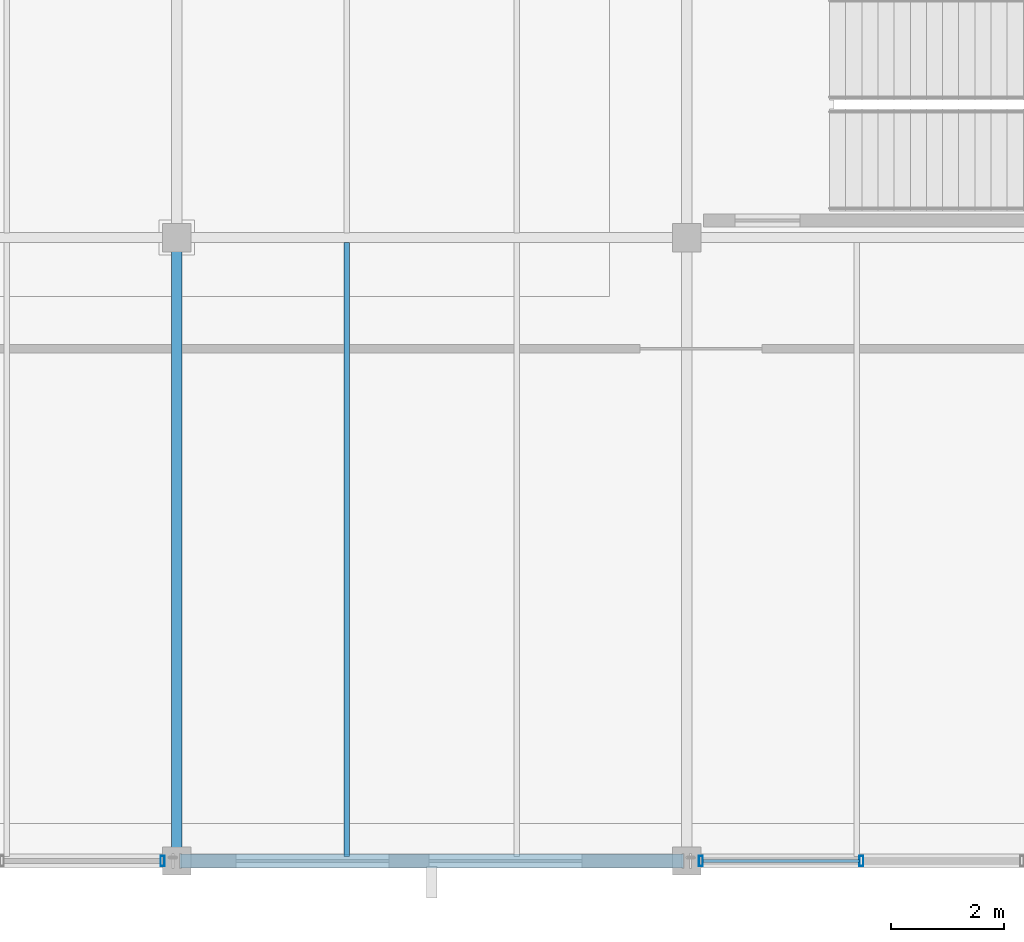
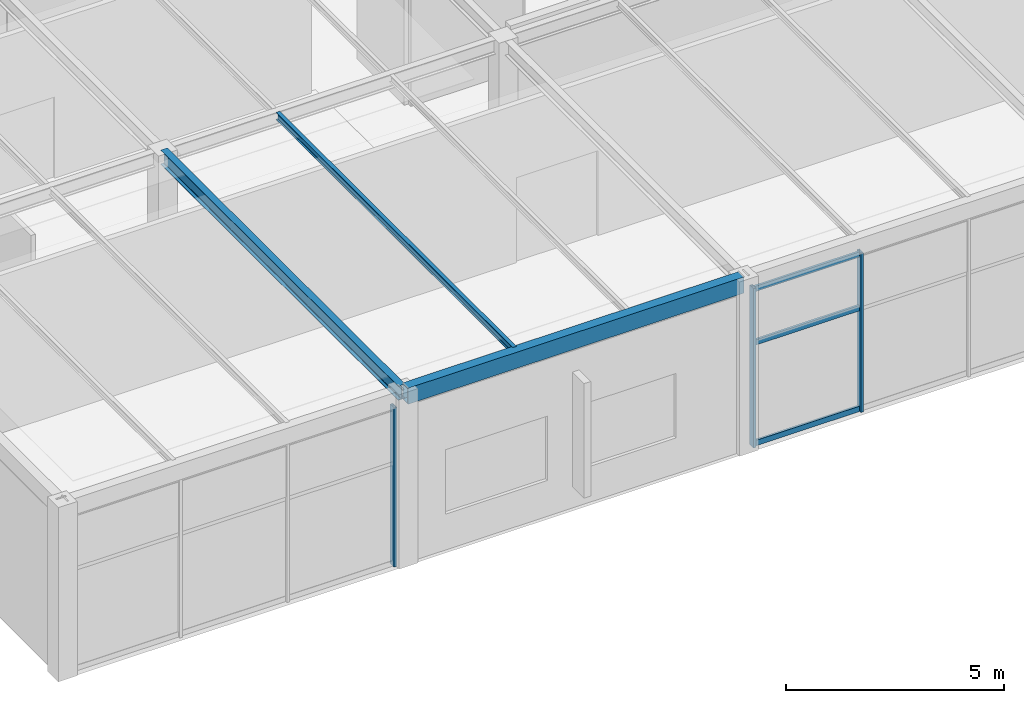
# One storey, part 62 of 195: 6 members, 3 beams, 2 elements without a shape of their own.
"""IFC4 building model written with IfcOpenShell, lengths in metres."""

from ifc_helpers import new_model, si_unit, direction, frame, origin, origin_2d, place, context, subcontext, project, spatial, hollow_rectangle, i_section, extrude, material, layer, layer_set, material_profile, profile_set, type_object, element, aggregate, save


model = new_model("IFC4")

# Units and contexts
model_context = context("Model", 3, precision=1e-05, world=origin(), true_north=direction((0.0, 1.0)))
body_context = subcontext(model_context, "Body", "Model", "MODEL_VIEW")
ifc_project = project(units=[si_unit("LENGTHUNIT", "METRE"), si_unit("AREAUNIT", "SQUARE_METRE"), si_unit("VOLUMEUNIT", "CUBIC_METRE"), si_unit("PLANEANGLEUNIT", "RADIAN"), si_unit("MASSUNIT", "GRAM", prefix="KILO")], contexts=[model_context])

# Site, building, storey
site_placement = place(None, origin())
site = spatial("IfcSite", under=ifc_project, at=site_placement, CompositionType="ELEMENT")
building_placement = place(site_placement, origin())
building = spatial("IfcBuilding", under=site, at=building_placement, Name="Marlcrest Central Station", CompositionType="ELEMENT")
storey_placement = place(building_placement, frame((0.0, 0.0, 9.800048828125)))
storey = spatial("IfcBuildingStorey", under=building, at=storey_placement, Name="L02", CompositionType="ELEMENT", Elevation=9.800048828125)

# Beams
ifc_material_1 = material(Name="Steel S355", Category="steel")
ifc_material_profile_1 = material_profile(ifc_material_1, i_section(OverallWidth=0.179931640625, OverallDepth=0.39990234375, WebThickness=0.008544921875, FlangeThickness=0.013427734375, FilletRadius=0.02099609375, at=origin_2d()), Name="IPE 400")
ifc_profile_set_1 = profile_set([ifc_material_profile_1], Name="Steel S355")
beam_type_1 = type_object("IfcBeamType", Name="BM-03", PredefinedType="BEAM", material=ifc_profile_set_1)
beam_1_placement = place(storey_placement, frame((162.0, 0.06005859375, 4.669921875), z_axis=(0.0, 1.0, 0.0), x_axis=(-1.0, 0.0, 0.0)))
element("IfcBeam", 1, at=beam_1_placement, inside=storey, type_object=beam_type_1, Name="bm-BM-03-L02-00982", PredefinedType="BEAM", context=body_context, shape_type="SweptSolid", body=[
    extrude(i_section(OverallWidth=0.179931640625, OverallDepth=0.39990234375, WebThickness=0.008544921875, FlangeThickness=0.013427734375, FilletRadius=0.02099609375, at=origin_2d()), origin(), (0.0, 0.0, 1.0), 10.8798828125),
])
ifc_material_profile_2 = material_profile(ifc_material_1, i_section(OverallWidth=0.10009765625, OverallDepth=0.199951171875, WebThickness=0.005615234375, FlangeThickness=0.008544921875, FilletRadius=0.011962890625, at=origin_2d()), Name="IPE 200")
ifc_profile_set_2 = profile_set([ifc_material_profile_2], Name="Steel S355")
beam_type_2 = type_object("IfcBeamType", Name="JS-01", PredefinedType="JOIST", material=ifc_profile_set_2)
beam_2_placement = place(storey_placement, frame((165.0, 0.0830078125, 4.77001953125), z_axis=(0.0, 1.0, 0.0), x_axis=(-1.0, 0.0, 0.0)))
element("IfcBeam", 2, at=beam_2_placement, inside=storey, type_object=beam_type_2, Name="bm-JS-01-L02-01006", PredefinedType="JOIST", context=body_context, shape_type="SweptSolid", body=[
    extrude(i_section(OverallWidth=0.10009765625, OverallDepth=0.199951171875, WebThickness=0.005615234375, FlangeThickness=0.008544921875, FilletRadius=0.011962890625, at=origin_2d()), origin(), (0.0, 0.0, 1.0), 10.833984375),
])

# Curtain wall, member
ifc_material_2 = material(Name="Anodised aluminium and hurricane laminated glass", Category="aluminium")
ifc_layer = layer(ifc_material_2, 0.179931640625, Name="CW-S1")
ifc_layer_set = layer_set([ifc_layer], Name="Anodised aluminium and hurricane laminated glass")
curtain_wall_type = type_object("IfcCurtainWallType", Name="CW-S1", PredefinedType="USERDEFINED", material=ifc_layer_set)
curtain_wall_1_placement = place(storey_placement, origin())
curtain_wall_1 = element("IfcCurtainWall", 3, at=curtain_wall_1_placement, inside=storey, type_object=curtain_wall_type, Name="cw-L02-0153", ObjectType="STICK_CURTAIN_WALL", PredefinedType="USERDEFINED")
ifc_material_3 = material(Name="Anodised aluminium 6063-T6", Category="aluminium")
ifc_material_profile_3 = material_profile(ifc_material_3, hollow_rectangle(XDim=0.070068359375, YDim=0.179931640625, WallThickness=0.0048828125, at=origin_2d()), Name="AA-RHS 180x70x5")
ifc_profile_set_3 = profile_set([ifc_material_profile_3], Name="Anodised aluminium 6063-T6")
member_type_1 = type_object("IfcMemberType", Name="ML-02", PredefinedType="MULLION", material=ifc_profile_set_3)
member_1_placement = place(storey_placement, frame((161.75, 0.0, -0.030029296875), z_axis=(0.0, 0.0, 1.0), x_axis=(1.0, 0.0, 0.0)))
member_1 = element("IfcMember", 4, at=member_1_placement, type_object=member_type_1, Name="cw-L02-0153-ml-0", PredefinedType="MULLION", context=body_context, shape_type="SweptSolid", body=[
    extrude(hollow_rectangle(XDim=0.070068359375, YDim=0.179931640625, WallThickness=0.0048828125, at=origin_2d()), origin(), (0.0, 0.0, 1.0), 4.449951171875),
])
aggregate(curtain_wall_1, [member_1])

# Curtain wall, members
curtain_wall_2_placement = place(storey_placement, origin())
curtain_wall_2 = element("IfcCurtainWall", 5, at=curtain_wall_2_placement, inside=storey, type_object=curtain_wall_type, Name="cw-L02-0154", ObjectType="STICK_CURTAIN_WALL", PredefinedType="USERDEFINED")
member_2_placement = place(storey_placement, frame((174.083251953125, 0.0, -0.030029296875), z_axis=(0.0, 0.0, 1.0), x_axis=(1.0, 0.0, 0.0)))
member_2 = element("IfcMember", 6, at=member_2_placement, type_object=member_type_1, Name="cw-L02-0154-ml-2", PredefinedType="MULLION", context=body_context, shape_type="SweptSolid", body=[
    extrude(hollow_rectangle(XDim=0.070068359375, YDim=0.179931640625, WallThickness=0.0048828125, at=origin_2d()), origin(), (0.0, 0.0, 1.0), 4.449951171875),
])
member_3_placement = place(storey_placement, frame((171.25, 0.0, -0.030029296875), z_axis=(0.0, 0.0, 1.0), x_axis=(1.0, 0.0, 0.0)))
member_3 = element("IfcMember", 7, at=member_3_placement, type_object=member_type_1, Name="cw-L02-0154-ml-3", PredefinedType="MULLION", context=body_context, shape_type="SweptSolid", body=[
    extrude(hollow_rectangle(XDim=0.070068359375, YDim=0.179931640625, WallThickness=0.0048828125, at=origin_2d()), origin(), (0.0, 0.0, 1.0), 4.449951171875),
])

# Beam
ifc_material_profile_4 = material_profile(ifc_material_1, hollow_rectangle(XDim=0.25, YDim=0.449951171875, WallThickness=0.01611328125, at=origin_2d()), Name="RHS 450x250x16")
ifc_profile_set_4 = profile_set([ifc_material_profile_4], Name="Steel S355")
beam_type_3 = type_object("IfcBeamType", Name="SP-02", PredefinedType="SPANDREL", material=ifc_profile_set_4)
beam_3_placement = place(storey_placement, frame((162.06005859375, 0.0, 4.64501953125), z_axis=(1.0, 0.0, 0.0), x_axis=(0.0, 1.0, 0.0)))
element("IfcBeam", 8, at=beam_3_placement, inside=storey, type_object=beam_type_3, Name="bm-SP-02-L02-00956", PredefinedType="SPANDREL", context=body_context, shape_type="SweptSolid", body=[
    extrude(hollow_rectangle(XDim=0.25, YDim=0.449951171875, WallThickness=0.01611328125, at=origin_2d()), origin(), (0.0, 0.0, 1.0), 8.8798828125),
])

# Member
ifc_material_profile_5 = material_profile(ifc_material_3, hollow_rectangle(XDim=0.06005859375, YDim=0.14990234375, WallThickness=0.00390625, at=origin_2d()), Name="AA-RHS 150x60x4")
ifc_profile_set_5 = profile_set([ifc_material_profile_5], Name="Anodised aluminium 6063-T6")
member_type_2 = type_object("IfcMemberType", Name="TR-01", PredefinedType="USERDEFINED", material=ifc_profile_set_5)
member_4_placement = place(storey_placement, frame((174.05029296875, 0.0, 0.0400390625), z_axis=(-1.0, 0.0, 0.0), x_axis=(0.0, -1.0, 0.0)))
member_4 = element("IfcMember", 9, at=member_4_placement, type_object=member_type_2, Name="cw-L02-0154-tr-2-sill", ObjectType="TRANSOM", PredefinedType="USERDEFINED", context=body_context, shape_type="SweptSolid", body=[
    extrude(hollow_rectangle(XDim=0.06005859375, YDim=0.14990234375, WallThickness=0.00390625, at=origin_2d()), origin(), (0.0, 0.0, 1.0), 2.767333984375),
])

member_5_placement = place(storey_placement, frame((174.05029296875, 0.0, 2.85400390625), z_axis=(-1.0, 0.0, 0.0), x_axis=(0.0, -1.0, 0.0)))
member_5 = element("IfcMember", 10, at=member_5_placement, type_object=member_type_2, Name="cw-L02-0154-tr-2-mid", ObjectType="TRANSOM", PredefinedType="USERDEFINED", context=body_context, shape_type="SweptSolid", body=[
    extrude(hollow_rectangle(XDim=0.06005859375, YDim=0.14990234375, WallThickness=0.00390625, at=origin_2d()), origin(), (0.0, 0.0, 1.0), 2.767333984375),
])

member_6_placement = place(storey_placement, frame((174.05029296875, 0.0, 4.349853515625), z_axis=(-1.0, 0.0, 0.0), x_axis=(0.0, -1.0, 0.0)))
member_6 = element("IfcMember", 11, at=member_6_placement, type_object=member_type_2, Name="cw-L02-0154-tr-2-head", ObjectType="TRANSOM", PredefinedType="USERDEFINED", context=body_context, shape_type="SweptSolid", body=[
    extrude(hollow_rectangle(XDim=0.06005859375, YDim=0.14990234375, WallThickness=0.00390625, at=origin_2d()), origin(), (0.0, 0.0, 1.0), 2.767333984375),
])

aggregate(curtain_wall_2, [member_2, member_3, member_4, member_5, member_6])

save(model, "model.ifc")
